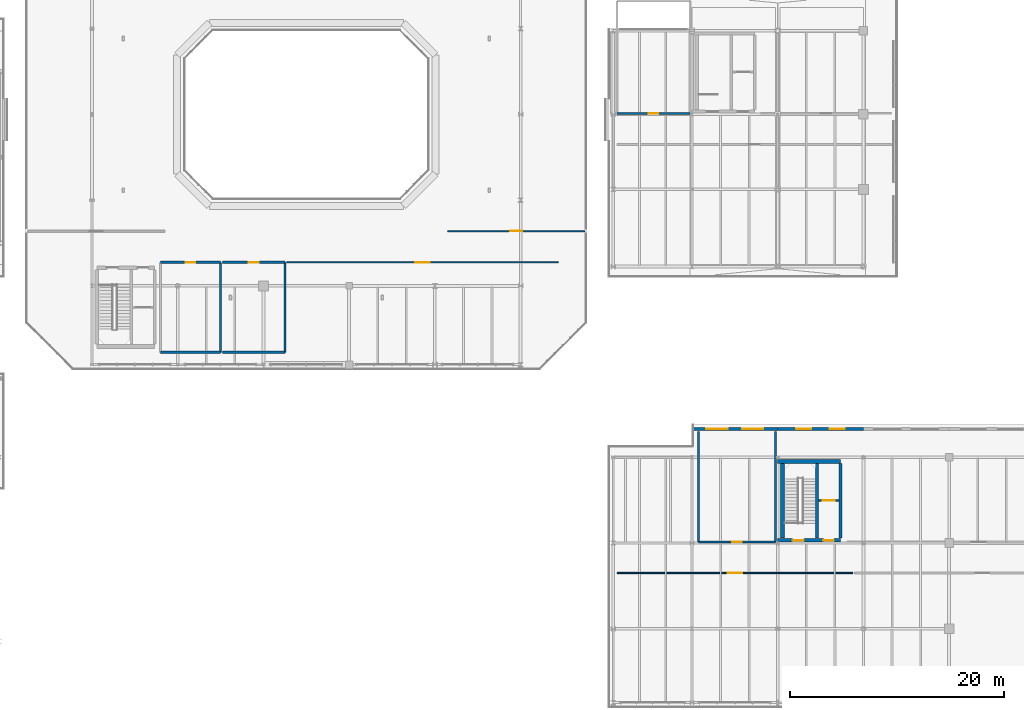
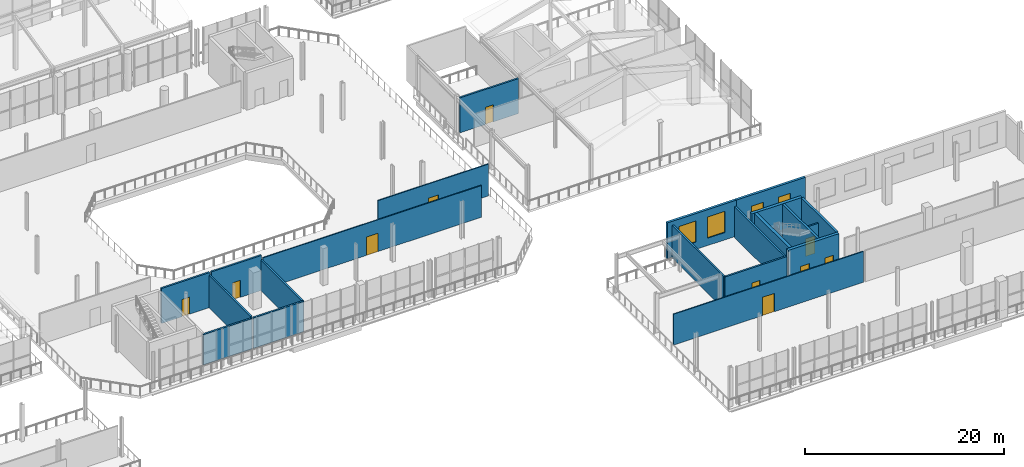
# One storey, part 50 of 70: 21 walls, 10 doors, 4 windows, 14 openings.
"""IFC4 building model written with IfcOpenShell, lengths in metres."""

from ifc_helpers import new_model, si_unit, direction, frame, frame_2d, origin, place, context, subcontext, project, spatial, rectangle, extrude, material, layer, layer_set, type_object, element, fill, save


model = new_model("IFC4")

# Units and contexts
model_context = context("Model", 3, precision=1e-05, world=origin(), true_north=direction((0.0, 1.0)))
body_context = subcontext(model_context, "Body", "Model", "MODEL_VIEW")
ifc_project = project(units=[si_unit("LENGTHUNIT", "METRE"), si_unit("AREAUNIT", "SQUARE_METRE"), si_unit("VOLUMEUNIT", "CUBIC_METRE"), si_unit("PLANEANGLEUNIT", "RADIAN"), si_unit("MASSUNIT", "GRAM", prefix="KILO")], contexts=[model_context])

# Site, building, storey
site_placement = place(None, origin())
site = spatial("IfcSite", under=ifc_project, at=site_placement, CompositionType="ELEMENT")
building_placement = place(site_placement, origin())
building = spatial("IfcBuilding", under=site, at=building_placement, Name="Brisemont Oceanarium", CompositionType="ELEMENT")
storey_placement = place(building_placement, frame((0.0, 0.0, 10.199951171875)))
storey = spatial("IfcBuildingStorey", under=building, at=storey_placement, Name="L02", CompositionType="ELEMENT", Elevation=10.199951171875)

# Wall, openings, windows
ifc_material_1 = material(Name="Beaux-Arts Limestone Cladding Precast Concrete C40/50", Category="masonry")
ifc_layer_1 = layer(ifc_material_1, 0.280029296875)
ifc_layer_set_1 = layer_set([ifc_layer_1], Name="Beaux-Arts Limestone Cladding Precast Concrete C40/50")
wall_type_1 = type_object("IfcWallType", Name="EW-LIME-280", PredefinedType="STANDARD", material=ifc_layer_set_1)
wall_1_placement = place(storey_placement, frame((120.0, 26.64990234375, 0.0), z_axis=(0.0, 0.0, 1.0), x_axis=(1.0, 0.0, 0.0)))
wall_1 = element("IfcWall", 1, at=wall_1_placement, inside=storey, type_object=wall_type_1, Name="Beaux-Arts exterior wall EW-V3N-L02-1", PredefinedType="STANDARD", context=body_context, shape_type="SweptSolid", body=[
    extrude(rectangle(XDim=8.0, YDim=0.280029296875, at=frame_2d((4.0, 0.0))), origin(), (0.0, 0.0, 1.0), 4.400146484375),
])
opening_1_placement = place(wall_1_placement, frame((1.333251953125, 0.0, 0.89990234375)))
opening_1 = element("IfcOpeningElement", 2, at=opening_1_placement, cuts=wall_1, Name="Opening WIN-03", PredefinedType="OPENING", context=body_context, shape_type="SweptSolid", body=[
    extrude(rectangle(XDim=2.0, YDim=2.60009765625, at=frame_2d((1.0, 1.300048828125))), frame((0.0, 0.14990234375, 0.0), z_axis=(0.0, -1.0, 0.0), x_axis=(1.0, 0.0, 0.0)), (0.0, 0.0, 1.0), 0.300048828125),
])
opening_2_placement = place(wall_1_placement, frame((4.666748046875, 0.0, 0.89990234375)))
opening_2 = element("IfcOpeningElement", 3, at=opening_2_placement, cuts=wall_1, Name="Opening WIN-03", PredefinedType="OPENING", context=body_context, shape_type="SweptSolid", body=[
    extrude(rectangle(XDim=2.0, YDim=2.60009765625, at=frame_2d((1.0, 1.300048828125))), frame((0.0, 0.14990234375, 0.0), z_axis=(0.0, -1.0, 0.0), x_axis=(1.0, 0.0, 0.0)), (0.0, 0.0, 1.0), 0.300048828125),
])
ifc_material_2 = material(Name="Insulated Low-E Laminated Glass", Category="glass")
window_type_1 = type_object("IfcWindowType", Name="WIN-BA-2000X2600", PartitioningType="SINGLE_PANEL", PredefinedType="WINDOW", material=ifc_material_2)
window_1_placement = place(opening_1_placement, origin())
window_1 = element("IfcWindow", 4, at=window_1_placement, inside=storey, type_object=window_type_1, Name="WIN-03 facade window 3", OverallHeight=2.60009765625, OverallWidth=2.0, PartitioningType="SINGLE_PANEL", PredefinedType="WINDOW", context=body_context, shape_type="SweptSolid", body=[
    extrude(rectangle(XDim=2.0, YDim=2.60009765625, at=frame_2d((1.0, 1.300048828125))), frame((0.0, 0.030029296875, 0.0), z_axis=(0.0, -1.0, 0.0), x_axis=(1.0, 0.0, 0.0)), (0.0, 0.0, 1.0), 0.06005859375),
])
fill(opening_1, window_1)
window_2_placement = place(opening_2_placement, origin())
window_2 = element("IfcWindow", 5, at=window_2_placement, inside=storey, type_object=window_type_1, Name="WIN-03 facade window 4", OverallHeight=2.60009765625, OverallWidth=2.0, PartitioningType="SINGLE_PANEL", PredefinedType="WINDOW", context=body_context, shape_type="SweptSolid", body=[
    extrude(rectangle(XDim=2.0, YDim=2.60009765625, at=frame_2d((1.0, 1.300048828125))), frame((0.0, 0.030029296875, 0.0), z_axis=(0.0, -1.0, 0.0), x_axis=(1.0, 0.0, 0.0)), (0.0, 0.0, 1.0), 0.06005859375),
])
fill(opening_2, window_2)

wall_2_placement = place(storey_placement, frame((128.0, 26.64990234375, 0.0), z_axis=(0.0, 0.0, 1.0), x_axis=(1.0, 0.0, 0.0)))
wall_2 = element("IfcWall", 6, at=wall_2_placement, inside=storey, type_object=wall_type_1, Name="Beaux-Arts exterior wall EW-V3N-L02-2", PredefinedType="STANDARD", context=body_context, shape_type="SweptSolid", body=[
    extrude(rectangle(XDim=8.0, YDim=0.280029296875, at=frame_2d((4.0, 0.0))), origin(), (0.0, 0.0, 1.0), 4.400146484375),
])
opening_3_placement = place(wall_2_placement, frame((1.7333984375, 0.0, 0.949951171875)))
opening_3 = element("IfcOpeningElement", 7, at=opening_3_placement, cuts=wall_2, Name="Opening WIN-07", PredefinedType="OPENING", context=body_context, shape_type="SweptSolid", body=[
    extrude(rectangle(XDim=1.39990234375, YDim=2.10009765625, at=frame_2d((0.699951171875, 1.050048828125))), frame((0.0, 0.14990234375, 0.0), z_axis=(0.0, -1.0, 0.0), x_axis=(1.0, 0.0, 0.0)), (0.0, 0.0, 1.0), 0.300048828125),
])
opening_4_placement = place(wall_2_placement, frame((4.86669921875, 0.0, 0.949951171875)))
opening_4 = element("IfcOpeningElement", 8, at=opening_4_placement, cuts=wall_2, Name="Opening WIN-07", PredefinedType="OPENING", context=body_context, shape_type="SweptSolid", body=[
    extrude(rectangle(XDim=1.39990234375, YDim=2.10009765625, at=frame_2d((0.699951171875, 1.050048828125))), frame((0.0, 0.14990234375, 0.0), z_axis=(0.0, -1.0, 0.0), x_axis=(1.0, 0.0, 0.0)), (0.0, 0.0, 1.0), 0.300048828125),
])
ifc_material_3 = material(Name="Insulated Low-E Laminated Glass", Category="glass")
window_type_2 = type_object("IfcWindowType", Name="WIN-BA-1400X2100", PartitioningType="SINGLE_PANEL", PredefinedType="WINDOW", material=ifc_material_3)
window_3_placement = place(opening_3_placement, origin())
window_3 = element("IfcWindow", 9, at=window_3_placement, inside=storey, type_object=window_type_2, Name="WIN-07 facade window 7", OverallHeight=2.10009765625, OverallWidth=1.39990234375, PartitioningType="SINGLE_PANEL", PredefinedType="WINDOW", context=body_context, shape_type="SweptSolid", body=[
    extrude(rectangle(XDim=1.39990234375, YDim=2.10009765625, at=frame_2d((0.699951171875, 1.050048828125))), frame((0.0, 0.030029296875, 0.0), z_axis=(0.0, -1.0, 0.0), x_axis=(1.0, 0.0, 0.0)), (0.0, 0.0, 1.0), 0.06005859375),
])
fill(opening_3, window_3)
window_4_placement = place(opening_4_placement, origin())
window_4 = element("IfcWindow", 10, at=window_4_placement, inside=storey, type_object=window_type_2, Name="WIN-07 facade window 8", OverallHeight=2.10009765625, OverallWidth=1.39990234375, PartitioningType="SINGLE_PANEL", PredefinedType="WINDOW", context=body_context, shape_type="SweptSolid", body=[
    extrude(rectangle(XDim=1.39990234375, YDim=2.10009765625, at=frame_2d((0.699951171875, 1.050048828125))), frame((0.0, 0.030029296875, 0.0), z_axis=(0.0, -1.0, 0.0), x_axis=(1.0, 0.0, 0.0)), (0.0, 0.0, 1.0), 0.06005859375),
])
fill(opening_4, window_4)

# Wall, opening, door
ifc_material_4 = material(Name="Moisture-Resistant Gypsum Steel-Stud Partition", Category="steel")
ifc_layer_2 = layer(ifc_material_4, 0.159912109375)
ifc_layer_set_2 = layer_set([ifc_layer_2], Name="Moisture-Resistant Gypsum Steel-Stud Partition")
wall_type_2 = type_object("IfcWallType", Name="IW-FB-160", PredefinedType="PARTITIONING", material=ifc_layer_set_2)
wall_3_placement = place(storey_placement, frame((131.85009765625, 19.969970703125, 0.0), z_axis=(0.0, 0.0, 1.0), x_axis=(1.0, 0.0, 0.0)))
wall_3 = element("IfcWall", 11, at=wall_3_placement, inside=storey, type_object=wall_type_2, Name="Core C4 L02 lift hoistway front wall", PredefinedType="PARTITIONING", context=body_context, shape_type="SweptSolid", body=[
    extrude(rectangle(XDim=1.83984375, YDim=0.159912109375, at=frame_2d((0.919921875, 0.0))), origin(), (0.0, 0.0, 1.0), 3.60009765625),
])
opening_5_placement = place(wall_3_placement, frame((0.3701171875, 0.0, 0.0)))
opening_5 = element("IfcOpeningElement", 12, at=opening_5_placement, cuts=wall_3, Name="Opening LD-01", PredefinedType="OPENING", context=body_context, shape_type="SweptSolid", body=[
    extrude(rectangle(XDim=1.10009765625, YDim=2.14990234375, at=frame_2d((0.550048828125, 1.074951171875))), frame((0.0, 0.08984375, 0.0), z_axis=(0.0, -1.0, 0.0), x_axis=(1.0, 0.0, 0.0)), (0.0, 0.0, 1.0), 0.179931640625),
])
ifc_material_5 = material(Name="Duplex Stainless Steel EN 1.4462", Category="steel")
door_type_1 = type_object("IfcDoorType", Name="DR-LIFT-1100X2150", OperationType="NOTDEFINED", PredefinedType="DOOR", material=ifc_material_5)
door_1_placement = place(opening_5_placement, origin())
door_1 = element("IfcDoor", 13, at=door_1_placement, inside=storey, type_object=door_type_1, Name="Lift landing door LF-04 L02", OperationType="SLIDING_TO_LEFT", OverallHeight=2.14990234375, OverallWidth=1.10009765625, PredefinedType="DOOR", context=body_context, shape_type="SweptSolid", body=[
    extrude(rectangle(XDim=1.10009765625, YDim=2.14990234375, at=frame_2d((0.550048828125, 1.074951171875))), frame((0.0, 0.02490234375, 0.0), z_axis=(0.0, -1.0, 0.0), x_axis=(1.0, 0.0, 0.0)), (0.0, 0.0, 1.0), 0.050048828125),
])
fill(opening_5, door_1)

ifc_material_6 = material(Name="Moisture-Resistant Gypsum Steel-Stud Partition", Category="steel")
ifc_layer_3 = layer(ifc_material_6, 0.1201171875)
ifc_layer_set_3 = layer_set([ifc_layer_3], Name="Moisture-Resistant Gypsum Steel-Stud Partition")
wall_type_3 = type_object("IfcWallType", Name="IW-PART-120", PredefinedType="PARTITIONING", material=ifc_layer_set_3)
wall_4_placement = place(storey_placement, frame((82.199951171875, 42.199951171875, 0.0), z_axis=(0.0, 0.0, 1.0), x_axis=(1.0, 0.0, 0.0)))
wall_4 = element("IfcWall", 14, at=wall_4_placement, inside=storey, type_object=wall_type_3, Name="Ocean Tank Surface Overlook Exhibit Gallery corridor partition", PredefinedType="PARTITIONING", context=body_context, shape_type="SweptSolid", body=[
    extrude(rectangle(XDim=25.300048828125, YDim=0.1201171875, at=frame_2d((12.64990234375, 0.0))), origin(), (0.0, 0.0, 1.0), 3.89208984375),
])
opening_6_placement = place(wall_4_placement, frame((11.97509765625, 0.0, 0.0)))
opening_6 = element("IfcOpeningElement", 15, at=opening_6_placement, cuts=wall_4, Name="Opening LB-01", PredefinedType="OPENING", context=body_context, shape_type="SweptSolid", body=[
    extrude(rectangle(XDim=1.35009765625, YDim=2.25, at=frame_2d((0.675048828125, 1.125))), frame((0.0, 0.070068359375, 0.0), z_axis=(0.0, -1.0, 0.0), x_axis=(1.0, 0.0, 0.0)), (0.0, 0.0, 1.0), 0.14013671875),
])
ifc_material_7 = material(Name="Duplex Stainless Steel EN 1.4462", Category="steel")
door_type_2 = type_object("IfcDoorType", Name="DR-LAB-1350X2250", OperationType="NOTDEFINED", PredefinedType="DOOR", material=ifc_material_7)
door_2_placement = place(opening_6_placement, origin())
door_2 = element("IfcDoor", 16, at=door_2_placement, inside=storey, type_object=door_type_2, Name="LB-01 door to Ocean Tank Surface Overlook Exhibit Gallery", OperationType="SINGLE_SWING_RIGHT", OverallHeight=2.25, OverallWidth=1.35009765625, PredefinedType="DOOR", context=body_context, shape_type="SweptSolid", body=[
    extrude(rectangle(XDim=1.35009765625, YDim=2.25, at=frame_2d((0.675048828125, 1.125))), frame((0.0, 0.02490234375, 0.0), z_axis=(0.0, -1.0, 0.0), x_axis=(1.0, 0.0, 0.0)), (0.0, 0.0, 1.0), 0.050048828125),
])
fill(opening_6, door_2)

wall_5_placement = place(storey_placement, frame((97.199951171875, 45.10009765625, 0.0), z_axis=(0.0, 0.0, 1.0), x_axis=(1.0, 0.0, 0.0)))
wall_5 = element("IfcWall", 17, at=wall_5_placement, inside=storey, type_object=wall_type_3, Name="Ocean Tank Pelagic Feed Preparation Deck corridor partition", PredefinedType="PARTITIONING", context=body_context, shape_type="SweptSolid", body=[
    extrude(rectangle(XDim=12.800048828125, YDim=0.1201171875, at=frame_2d((6.39990234375, 0.0))), origin(), (0.0, 0.0, 1.0), 3.89208984375),
])
opening_7_placement = place(wall_5_placement, frame((5.840087890625, 0.0, 0.0)))
opening_7 = element("IfcOpeningElement", 18, at=opening_7_placement, cuts=wall_5, Name="Opening LB-03", PredefinedType="OPENING", context=body_context, shape_type="SweptSolid", body=[
    extrude(rectangle(XDim=1.1201171875, YDim=2.14990234375, at=frame_2d((0.56005859375, 1.074951171875))), frame((0.0, 0.070068359375, 0.0), z_axis=(0.0, -1.0, 0.0), x_axis=(1.0, 0.0, 0.0)), (0.0, 0.0, 1.0), 0.14013671875),
])
ifc_material_8 = material(Name="Duplex Stainless Steel EN 1.4462", Category="steel")
door_type_3 = type_object("IfcDoorType", Name="DR-LAB-1120X2150", OperationType="NOTDEFINED", PredefinedType="DOOR", material=ifc_material_8)
door_3_placement = place(opening_7_placement, origin())
door_3 = element("IfcDoor", 19, at=door_3_placement, inside=storey, type_object=door_type_3, Name="LB-03 door to Ocean Tank Pelagic Feed Preparation Deck", OperationType="SINGLE_SWING_RIGHT", OverallHeight=2.14990234375, OverallWidth=1.1201171875, PredefinedType="DOOR", context=body_context, shape_type="SweptSolid", body=[
    extrude(rectangle(XDim=1.1201171875, YDim=2.14990234375, at=frame_2d((0.56005859375, 1.074951171875))), frame((0.0, 0.02490234375, 0.0), z_axis=(0.0, -1.0, 0.0), x_axis=(1.0, 0.0, 0.0)), (0.0, 0.0, 1.0), 0.050048828125),
])
fill(opening_7, door_3)

wall_6_placement = place(storey_placement, frame((113.0, 13.199951171875, 0.0), z_axis=(0.0, 0.0, 1.0), x_axis=(1.0, 0.0, 0.0)))
wall_6 = element("IfcWall", 20, at=wall_6_placement, inside=storey, type_object=wall_type_3, Name="Education Centre Oceanographic GIS Lab corridor partition", PredefinedType="PARTITIONING", context=body_context, shape_type="SweptSolid", body=[
    extrude(rectangle(XDim=22.0, YDim=0.1201171875, at=frame_2d((11.0, 0.0))), origin(), (0.0, 0.0, 1.0), 3.778076171875),
])
opening_8_placement = place(wall_6_placement, frame((10.324951171875, 0.0, 0.0)))
opening_8 = element("IfcOpeningElement", 21, at=opening_8_placement, cuts=wall_6, Name="Opening LB-01", PredefinedType="OPENING", context=body_context, shape_type="SweptSolid", body=[
    extrude(rectangle(XDim=1.35009765625, YDim=2.25, at=frame_2d((0.675048828125, 1.125))), frame((0.0, 0.070068359375, 0.0), z_axis=(0.0, -1.0, 0.0), x_axis=(1.0, 0.0, 0.0)), (0.0, 0.0, 1.0), 0.14013671875),
])
door_4_placement = place(opening_8_placement, origin())
door_4 = element("IfcDoor", 22, at=door_4_placement, inside=storey, type_object=door_type_2, Name="LB-01 door to Education Centre Oceanographic GIS Lab", OperationType="SINGLE_SWING_LEFT", OverallHeight=2.25, OverallWidth=1.35009765625, PredefinedType="DOOR", context=body_context, shape_type="SweptSolid", body=[
    extrude(rectangle(XDim=1.35009765625, YDim=2.25, at=frame_2d((0.675048828125, 1.125))), frame((0.0, 0.02490234375, 0.0), z_axis=(0.0, -1.0, 0.0), x_axis=(1.0, 0.0, 0.0)), (0.0, 0.0, 1.0), 0.050048828125),
])
fill(opening_8, door_4)

ifc_material_9 = material(Name="Cementitious Tile-Backer Plumbing Wall")
ifc_layer_4 = layer(ifc_material_9, 0.199951171875)
ifc_layer_set_4 = layer_set([ifc_layer_4], Name="Cementitious Tile-Backer Plumbing Wall")
wall_type_4 = type_object("IfcWallType", Name="IW-PLUMB-200", PredefinedType="PLUMBINGWALL", material=ifc_layer_set_4)
wall_7_placement = place(storey_placement, frame((70.39990234375, 42.199951171875, 0.0), z_axis=(0.0, 0.0, 1.0), x_axis=(1.0, 0.0, 0.0)))
wall_7 = element("IfcWall", 23, at=wall_7_placement, inside=storey, type_object=wall_type_4, Name="Accessible WC corridor partition", PredefinedType="PLUMBINGWALL", context=body_context, shape_type="SweptSolid", body=[
    extrude(rectangle(XDim=5.60009765625, YDim=0.199951171875, at=frame_2d((2.800048828125, 0.0))), origin(), (0.0, 0.0, 1.0), 4.2900390625),
])
opening_9_placement = place(wall_7_placement, frame((2.344970703125, 0.0, 0.0)))
opening_9 = element("IfcOpeningElement", 24, at=opening_9_placement, cuts=wall_7, Name="Opening D-03", PredefinedType="OPENING", context=body_context, shape_type="SweptSolid", body=[
    extrude(rectangle(XDim=0.909912109375, YDim=2.10009765625, at=frame_2d((0.455078125, 1.050048828125))), frame((0.0, 0.10986328125, 0.0), z_axis=(0.0, -1.0, 0.0), x_axis=(1.0, 0.0, 0.0)), (0.0, 0.0, 1.0), 0.219970703125),
])
ifc_material_10 = material(Name="FSC White Oak Solid-Core Fire Door")
door_type_4 = type_object("IfcDoorType", Name="DR-WC-910X2100", OperationType="NOTDEFINED", PredefinedType="DOOR", material=ifc_material_10)
door_5_placement = place(opening_9_placement, origin())
door_5 = element("IfcDoor", 25, at=door_5_placement, inside=storey, type_object=door_type_4, Name="D-03 door to Accessible WC", OperationType="SINGLE_SWING_RIGHT", OverallHeight=2.10009765625, OverallWidth=0.909912109375, PredefinedType="DOOR", context=body_context, shape_type="SweptSolid", body=[
    extrude(rectangle(XDim=0.909912109375, YDim=2.10009765625, at=frame_2d((0.455078125, 1.050048828125))), frame((0.0, 0.02490234375, 0.0), z_axis=(0.0, -1.0, 0.0), x_axis=(1.0, 0.0, 0.0)), (0.0, 0.0, 1.0), 0.050048828125),
])
fill(opening_9, door_5)

# Walls
wall_8_placement = place(storey_placement, frame((70.39990234375, 33.800048828125, 0.0), z_axis=(0.0, 0.0, 1.0), x_axis=(1.0, 0.0, 0.0)))
element("IfcWall", 26, at=wall_8_placement, inside=storey, type_object=wall_type_4, Name="Accessible WC enclosure wall S", PredefinedType="PLUMBINGWALL", context=body_context, shape_type="SweptSolid", body=[
    extrude(rectangle(XDim=5.60009765625, YDim=0.199951171875, at=frame_2d((2.800048828125, 0.0))), origin(), (0.0, 0.0, 1.0), 3.738037109375),
])
wall_9_placement = place(storey_placement, frame((76.0, 33.800048828125, 0.0), z_axis=(0.0, 0.0, 1.0), x_axis=(0.0, 1.0, 0.0)))
element("IfcWall", 27, at=wall_9_placement, inside=storey, type_object=wall_type_4, Name="Accessible WC enclosure wall E", PredefinedType="PLUMBINGWALL", context=body_context, shape_type="SweptSolid", body=[
    extrude(rectangle(XDim=8.39990234375, YDim=0.199951171875, at=frame_2d((4.199951171875, 0.0))), origin(), (0.0, 0.0, 1.0), 3.967041015625),
])

# Wall, opening, door
wall_10_placement = place(storey_placement, frame((76.199951171875, 42.199951171875, 0.0), z_axis=(0.0, 0.0, 1.0), x_axis=(1.0, 0.0, 0.0)))
wall_10 = element("IfcWall", 28, at=wall_10_placement, inside=storey, type_object=wall_type_4, Name="Public Restroom corridor partition", PredefinedType="PLUMBINGWALL", context=body_context, shape_type="SweptSolid", body=[
    extrude(rectangle(XDim=5.800048828125, YDim=0.199951171875, at=frame_2d((2.89990234375, 0.0))), origin(), (0.0, 0.0, 1.0), 4.2900390625),
])
opening_10_placement = place(wall_10_placement, frame((2.445068359375, 0.0, 0.0)))
opening_10 = element("IfcOpeningElement", 29, at=opening_10_placement, cuts=wall_10, Name="Opening D-03", PredefinedType="OPENING", context=body_context, shape_type="SweptSolid", body=[
    extrude(rectangle(XDim=0.909912109375, YDim=2.10009765625, at=frame_2d((0.455078125, 1.050048828125))), frame((0.0, 0.10986328125, 0.0), z_axis=(0.0, -1.0, 0.0), x_axis=(1.0, 0.0, 0.0)), (0.0, 0.0, 1.0), 0.219970703125),
])
door_6_placement = place(opening_10_placement, origin())
door_6 = element("IfcDoor", 30, at=door_6_placement, inside=storey, type_object=door_type_4, Name="D-03 door to Public Restroom", OperationType="SINGLE_SWING_LEFT", OverallHeight=2.10009765625, OverallWidth=0.909912109375, PredefinedType="DOOR", context=body_context, shape_type="SweptSolid", body=[
    extrude(rectangle(XDim=0.909912109375, YDim=2.10009765625, at=frame_2d((0.455078125, 1.050048828125))), frame((0.0, 0.02490234375, 0.0), z_axis=(0.0, -1.0, 0.0), x_axis=(1.0, 0.0, 0.0)), (0.0, 0.0, 1.0), 0.050048828125),
])
fill(opening_10, door_6)

# Walls
wall_11_placement = place(storey_placement, frame((76.199951171875, 33.800048828125, 0.0), z_axis=(0.0, 0.0, 1.0), x_axis=(1.0, 0.0, 0.0)))
element("IfcWall", 31, at=wall_11_placement, inside=storey, type_object=wall_type_4, Name="Public Restroom enclosure wall S", PredefinedType="PLUMBINGWALL", context=body_context, shape_type="SweptSolid", body=[
    extrude(rectangle(XDim=5.800048828125, YDim=0.199951171875, at=frame_2d((2.89990234375, 0.0))), origin(), (0.0, 0.0, 1.0), 3.7470703125),
])
wall_12_placement = place(storey_placement, frame((82.0, 33.800048828125, 0.0), z_axis=(0.0, 0.0, 1.0), x_axis=(0.0, 1.0, 0.0)))
element("IfcWall", 32, at=wall_12_placement, inside=storey, type_object=wall_type_4, Name="Public Restroom enclosure wall E", PredefinedType="PLUMBINGWALL", context=body_context, shape_type="SweptSolid", body=[
    extrude(rectangle(XDim=8.39990234375, YDim=0.199951171875, at=frame_2d((4.199951171875, 0.0))), origin(), (0.0, 0.0, 1.0), 3.738037109375),
])

# Wall, opening, door
wall_13_placement = place(storey_placement, frame((120.60009765625, 16.10009765625, 0.0), z_axis=(0.0, 0.0, 1.0), x_axis=(1.0, 0.0, 0.0)))
wall_13 = element("IfcWall", 33, at=wall_13_placement, inside=storey, type_object=wall_type_4, Name="Accessible WC corridor partition", PredefinedType="PLUMBINGWALL", context=body_context, shape_type="SweptSolid", body=[
    extrude(rectangle(XDim=7.199951171875, YDim=0.199951171875, at=frame_2d((3.60009765625, 0.0))), origin(), (0.0, 0.0, 1.0), 3.93798828125),
])
opening_11_placement = place(wall_13_placement, frame((3.14501953125, 0.0, 0.0)))
opening_11 = element("IfcOpeningElement", 34, at=opening_11_placement, cuts=wall_13, Name="Opening D-03", PredefinedType="OPENING", context=body_context, shape_type="SweptSolid", body=[
    extrude(rectangle(XDim=0.909912109375, YDim=2.10009765625, at=frame_2d((0.455078125, 1.050048828125))), frame((0.0, 0.10986328125, 0.0), z_axis=(0.0, -1.0, 0.0), x_axis=(1.0, 0.0, 0.0)), (0.0, 0.0, 1.0), 0.219970703125),
])
door_7_placement = place(opening_11_placement, origin())
door_7 = element("IfcDoor", 35, at=door_7_placement, inside=storey, type_object=door_type_4, Name="D-03 door to Accessible WC", OperationType="SINGLE_SWING_LEFT", OverallHeight=2.10009765625, OverallWidth=0.909912109375, PredefinedType="DOOR", context=body_context, shape_type="SweptSolid", body=[
    extrude(rectangle(XDim=0.909912109375, YDim=2.10009765625, at=frame_2d((0.455078125, 1.050048828125))), frame((0.0, 0.02490234375, 0.0), z_axis=(0.0, -1.0, 0.0), x_axis=(1.0, 0.0, 0.0)), (0.0, 0.0, 1.0), 0.050048828125),
])
fill(opening_11, door_7)

# Walls
wall_14_placement = place(storey_placement, frame((120.60009765625, 16.10009765625, 0.0), z_axis=(0.0, 0.0, 1.0), x_axis=(0.0, 1.0, 0.0)))
element("IfcWall", 36, at=wall_14_placement, inside=storey, type_object=wall_type_4, Name="Accessible WC enclosure wall W", PredefinedType="PLUMBINGWALL", context=body_context, shape_type="SweptSolid", body=[
    extrude(rectangle(XDim=10.2998046875, YDim=0.199951171875, at=frame_2d((5.14990234375, 0.0))), origin(), (0.0, 0.0, 1.0), 4.007080078125),
])
wall_15_placement = place(storey_placement, frame((127.800048828125, 16.10009765625, 0.0), z_axis=(0.0, 0.0, 1.0), x_axis=(0.0, 1.0, 0.0)))
element("IfcWall", 37, at=wall_15_placement, inside=storey, type_object=wall_type_4, Name="Accessible WC enclosure wall E", PredefinedType="PLUMBINGWALL", context=body_context, shape_type="SweptSolid", body=[
    extrude(rectangle(XDim=10.2998046875, YDim=0.199951171875, at=frame_2d((5.14990234375, 0.0))), origin(), (0.0, 0.0, 1.0), 3.778076171875),
])

# Wall, opening, door
wall_16_placement = place(storey_placement, frame((113.0, 56.10009765625, 0.0), z_axis=(0.0, 0.0, 1.0), x_axis=(1.0, 0.0, 0.0)))
wall_16 = element("IfcWall", 38, at=wall_16_placement, inside=storey, type_object=wall_type_4, Name="Accessible WC corridor partition", PredefinedType="PLUMBINGWALL", context=body_context, shape_type="SweptSolid", body=[
    extrude(rectangle(XDim=6.800048828125, YDim=0.199951171875, at=frame_2d((3.39990234375, 0.0))), origin(), (0.0, 0.0, 1.0), 4.2900390625),
])
opening_12_placement = place(wall_16_placement, frame((2.945068359375, 0.0, 0.0)))
opening_12 = element("IfcOpeningElement", 39, at=opening_12_placement, cuts=wall_16, Name="Opening D-03", PredefinedType="OPENING", context=body_context, shape_type="SweptSolid", body=[
    extrude(rectangle(XDim=0.909912109375, YDim=2.10009765625, at=frame_2d((0.455078125, 1.050048828125))), frame((0.0, 0.10986328125, 0.0), z_axis=(0.0, -1.0, 0.0), x_axis=(1.0, 0.0, 0.0)), (0.0, 0.0, 1.0), 0.219970703125),
])
door_8_placement = place(opening_12_placement, origin())
door_8 = element("IfcDoor", 40, at=door_8_placement, inside=storey, type_object=door_type_4, Name="D-03 door to Accessible WC", OperationType="SINGLE_SWING_LEFT", OverallHeight=2.10009765625, OverallWidth=0.909912109375, PredefinedType="DOOR", context=body_context, shape_type="SweptSolid", body=[
    extrude(rectangle(XDim=0.909912109375, YDim=2.10009765625, at=frame_2d((0.455078125, 1.050048828125))), frame((0.0, 0.02490234375, 0.0), z_axis=(0.0, -1.0, 0.0), x_axis=(1.0, 0.0, 0.0)), (0.0, 0.0, 1.0), 0.050048828125),
])
fill(opening_12, door_8)

# Walls
ifc_material_11 = material(Name="Concrete C40/50", Category="concrete")
ifc_layer_5 = layer(ifc_material_11, 0.260009765625)
ifc_layer_set_5 = layer_set([ifc_layer_5], Name="Concrete C40/50")
wall_type_5 = type_object("IfcWallType", Name="SW-SHAFT-260", PredefinedType="SHEAR", material=ifc_layer_set_5)
for number, where, z_axis, x_axis, name in (
    (41, (133.85009765625, 16.449951171875, 0.0), (0.0, 0.0, 1.0), (0.0, 1.0, 0.0), "Core C4 L02 E RC shear wall"),
    (42, (131.669921875, 16.449951171875, 0.0), (0.0, 0.0, 1.0), (0.0, 1.0, 0.0), "Core C4 L02 MID RC shear wall"),
):
    element("IfcWall", number, at=place(storey_placement, frame(where, z_axis=z_axis, x_axis=x_axis)), inside=storey, type_object=wall_type_5, Name=name, PredefinedType="SHEAR", context=body_context, shape_type="SweptSolid", body=[
        extrude(rectangle(XDim=6.949951171875, YDim=0.260009765625, at=frame_2d((3.47509765625, 0.0))), origin(), (0.0, 0.0, 1.0), 4.570068359375),
    ])

# Wall, openings, doors
ifc_material_12 = material(Name="Concrete C40/50", Category="concrete")
ifc_layer_6 = layer(ifc_material_12, 0.35009765625)
ifc_layer_set_6 = layer_set([ifc_layer_6], Name="Concrete C40/50")
wall_type_6 = type_object("IfcWallType", Name="SW-STAIR-350", PredefinedType="SHEAR", material=ifc_layer_set_6)
wall_17_placement = place(storey_placement, frame((128.0, 16.25, 0.0), z_axis=(0.0, 0.0, 1.0), x_axis=(1.0, 0.0, 0.0)))
wall_17 = element("IfcWall", 43, at=wall_17_placement, inside=storey, type_object=wall_type_6, Name="Core C4 L02 corridor RC shear wall", PredefinedType="SHEAR", context=body_context, shape_type="SweptSolid", body=[
    extrude(rectangle(XDim=5.85009765625, YDim=0.35009765625, at=frame_2d((2.925048828125, 0.0))), origin(), (0.0, 0.0, 1.0), 4.570068359375),
])
opening_13_placement = place(wall_17_placement, frame((1.39990234375, 0.0, 0.0)))
opening_13 = element("IfcOpeningElement", 44, at=opening_13_placement, cuts=wall_17, Name="Opening SD-02", PredefinedType="OPENING", context=body_context, shape_type="SweptSolid", body=[
    extrude(rectangle(XDim=1.050048828125, YDim=2.10009765625, at=frame_2d((0.52490234375, 1.050048828125))), frame((0.0, 0.18505859375, 0.0), z_axis=(0.0, -1.0, 0.0), x_axis=(1.0, 0.0, 0.0)), (0.0, 0.0, 1.0), 0.3701171875),
])
opening_14_placement = place(wall_17_placement, frame((4.25, 0.0, 0.0)))
opening_14 = element("IfcOpeningElement", 45, at=opening_14_placement, cuts=wall_17, Name="Opening FD90-2", PredefinedType="OPENING", context=body_context, shape_type="SweptSolid", body=[
    extrude(rectangle(XDim=1.0, YDim=2.14990234375, at=frame_2d((0.5, 1.074951171875))), frame((0.0, 0.18505859375, 0.0), z_axis=(0.0, -1.0, 0.0), x_axis=(1.0, 0.0, 0.0)), (0.0, 0.0, 1.0), 0.3701171875),
])
ifc_material_13 = material(Name="FSC White Oak Solid-Core Fire Door")
door_type_5 = type_object("IfcDoorType", Name="DR-LOB-1000X2150", OperationType="NOTDEFINED", PredefinedType="DOOR", material=ifc_material_13)
door_9_placement = place(opening_14_placement, origin())
door_9 = element("IfcDoor", 46, at=door_9_placement, inside=storey, type_object=door_type_5, Name="Lift lobby door C4 L02", OperationType="SINGLE_SWING_LEFT", OverallHeight=2.14990234375, OverallWidth=1.0, PredefinedType="DOOR", context=body_context, shape_type="SweptSolid", body=[
    extrude(rectangle(XDim=1.0, YDim=2.14990234375, at=frame_2d((0.5, 1.074951171875))), frame((0.0, 0.02490234375, 0.0), z_axis=(0.0, -1.0, 0.0), x_axis=(1.0, 0.0, 0.0)), (0.0, 0.0, 1.0), 0.050048828125),
])
fill(opening_14, door_9)
ifc_material_14 = material(Name="Duplex Stainless Steel EN 1.4462", Category="steel")
door_type_6 = type_object("IfcDoorType", Name="DR-STAIR-1050X2100", OperationType="NOTDEFINED", PredefinedType="DOOR", material=ifc_material_14)
door_10_placement = place(opening_13_placement, origin())
door_10 = element("IfcDoor", 47, at=door_10_placement, inside=storey, type_object=door_type_6, Name="Exit stair door ST-04 L02", OperationType="SINGLE_SWING_RIGHT", OverallHeight=2.10009765625, OverallWidth=1.050048828125, PredefinedType="DOOR", context=body_context, shape_type="SweptSolid", body=[
    extrude(rectangle(XDim=1.050048828125, YDim=2.10009765625, at=frame_2d((0.52490234375, 1.050048828125))), frame((0.0, 0.02490234375, 0.0), z_axis=(0.0, -1.0, 0.0), x_axis=(1.0, 0.0, 0.0)), (0.0, 0.0, 1.0), 0.050048828125),
])
fill(opening_13, door_10)

# Walls
wall_18_placement = place(storey_placement, frame((128.0, 23.60009765625, 0.0), z_axis=(0.0, 0.0, 1.0), x_axis=(1.0, 0.0, 0.0)))
element("IfcWall", 48, at=wall_18_placement, inside=storey, type_object=wall_type_6, Name="Core C4 L02 BCK RC shear wall", PredefinedType="SHEAR", context=body_context, shape_type="SweptSolid", body=[
    extrude(rectangle(XDim=5.85009765625, YDim=0.35009765625, at=frame_2d((2.925048828125, 0.0))), origin(), (0.0, 0.0, 1.0), 4.570068359375),
])
wall_19_placement = place(storey_placement, frame((128.449951171875, 16.449951171875, 0.0), z_axis=(0.0, 0.0, 1.0), x_axis=(0.0, 1.0, 0.0)))
element("IfcWall", 49, at=wall_19_placement, inside=storey, type_object=wall_type_6, Name="Core C4 L02 W RC shear wall", PredefinedType="SHEAR", context=body_context, shape_type="SweptSolid", body=[
    extrude(rectangle(XDim=6.949951171875, YDim=0.35009765625, at=frame_2d((3.47509765625, 0.0))), origin(), (0.0, 0.0, 1.0), 4.570068359375),
])

save(model, "model.ifc")
